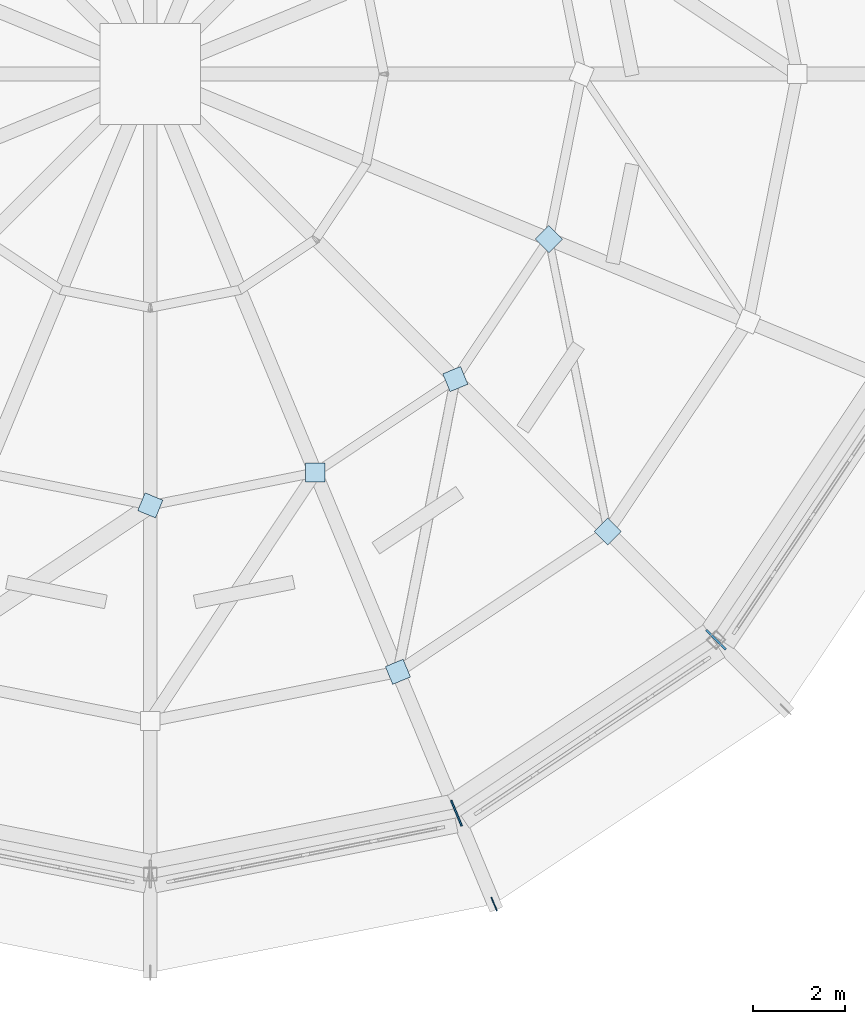
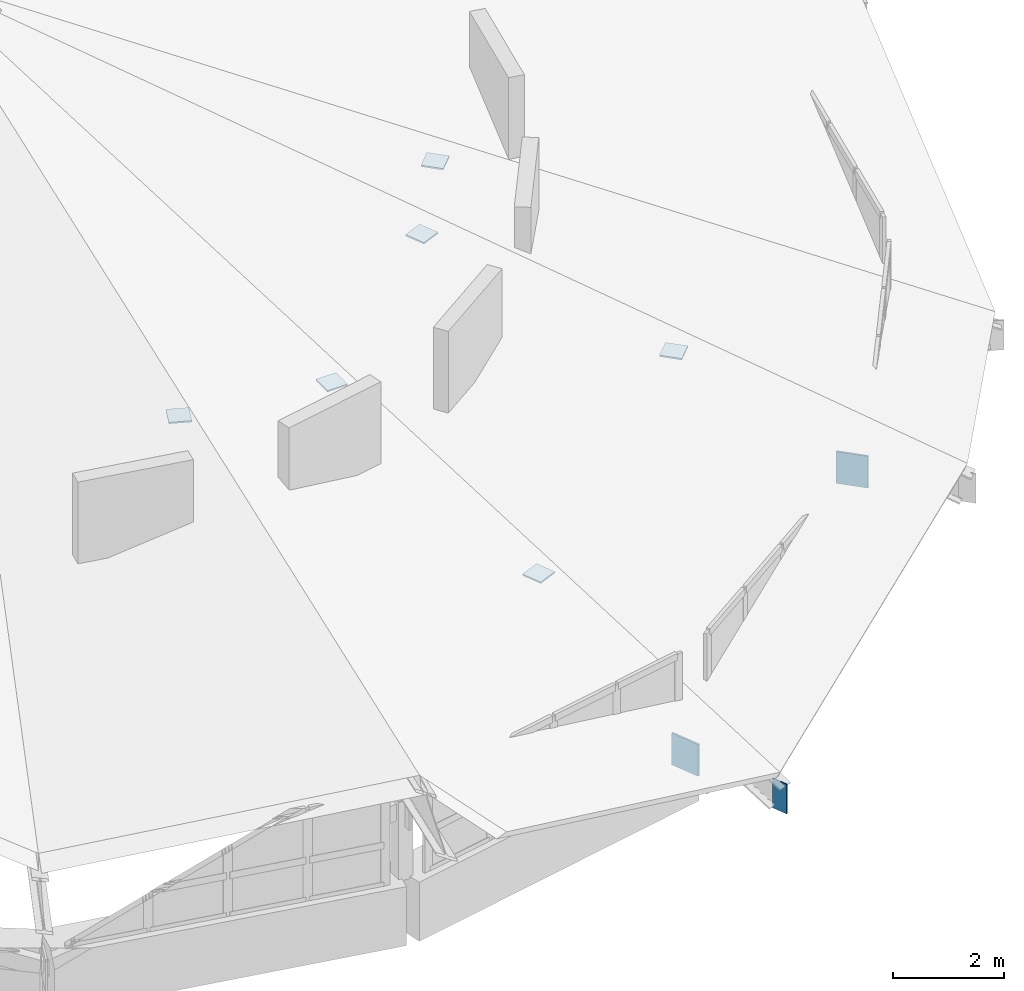
# One storey, part 13 of 18: 9 plates.
"""IFC4 building model written with IfcOpenShell, lengths in metres."""

from ifc_helpers import new_model, si_unit, direction, frame, origin, origin_2d, place, context, subcontext, project, spatial, rectangle, extrude, material, layer, layer_set, type_object, element, save


model = new_model("IFC4")

# Units and contexts
model_context = context("Model", 3, precision=1e-05, world=origin(), true_north=direction((0.0, 1.0)))
body_context = subcontext(model_context, "Body", "Model", "MODEL_VIEW")
ifc_project = project(units=[si_unit("LENGTHUNIT", "METRE"), si_unit("AREAUNIT", "SQUARE_METRE"), si_unit("VOLUMEUNIT", "CUBIC_METRE"), si_unit("PLANEANGLEUNIT", "RADIAN"), si_unit("MASSUNIT", "GRAM", prefix="KILO")], contexts=[model_context])

# Site, building, storey
site_placement = place(None, origin())
site = spatial("IfcSite", under=ifc_project, at=site_placement, CompositionType="ELEMENT")
building_placement = place(site_placement, origin())
building = spatial("IfcBuilding", under=site, at=building_placement, Name="Soyqirgoq Riverine Aquarium", CompositionType="ELEMENT")
storey_placement = place(building_placement, frame((0.0, 0.0, 29.39990234375)))
storey = spatial("IfcBuildingStorey", under=building, at=storey_placement, Name="RF", CompositionType="ELEMENT", Elevation=29.39990234375)

# Plates
ifc_material_1 = material(Name="Structural steel S355", Category="steel")
ifc_layer_1 = layer(ifc_material_1, 0.031982421875)
ifc_layer_set_1 = layer_set([ifc_layer_1], Name="Structural steel S355")
plate_type_1 = type_object("IfcPlateType", Name="NodeGussetPlate_32_S355", PredefinedType="SHEET", material=ifc_layer_set_1)
for number, where, z_axis, x_axis, name in (
    (1, (56.0, 47.592041015625, 5.18798828125), (0.0, 0.0, 1.0), (-0.382683432365, -0.923879532511, 0.0), "V1 Radial Truss Brace End Gusset Plate 108"),
    (2, (59.600341796875, 48.30810546875, 4.22802734375), (0.0, 0.0, 1.0), (0.0, -1.0, 0.0), "V1 Radial Truss Brace End Gusset Plate 110"),
    (3, (61.400390625, 43.962158203125, 2.02001953125), (0.0, 0.0, 1.0), (0.382683432365, -0.923879532511, 0.0), "V1 Radial Truss Brace End Gusset Plate 111"),
    (4, (62.652587890625, 50.347412109375, 5.18798828125), (0.0, 0.0, 1.0), (0.382683432365, -0.923879532511, 0.0), "V1 Radial Truss Brace End Gusset Plate 112"),
    (5, (65.978759765625, 47.021240234375, 3.4599609375), (0.0, 0.0, 1.0), (0.707106781187, -0.707106781187, 0.0), "V1 Radial Truss Brace End Gusset Plate 113"),
    (6, (64.69189453125, 53.399658203125, 4.22802734375), (0.0, 0.0, 1.0), (0.707106781187, -0.707106781187, 0.0), "V1 Radial Truss Brace End Gusset Plate 114"),
):
    element("IfcPlate", number, at=place(storey_placement, frame(where, z_axis=z_axis, x_axis=x_axis)), inside=storey, type_object=plate_type_1, Name=name, PredefinedType="SHEET", context=body_context, shape_type="SweptSolid", body=[
        extrude(rectangle(XDim=0.419921875, YDim=0.419921875, at=origin_2d()), origin(), (0.0, 0.0, 1.0), 0.031982421875),
    ])
ifc_material_2 = material(Name="Structural steel S355", Category="steel")
ifc_layer_2 = layer(ifc_material_2, 0.0400390625)
ifc_layer_set_2 = layer_set([ifc_layer_2], Name="Structural steel S355")
plate_type_2 = type_object("IfcPlateType", Name="NodeGussetPlate_40_S355", PredefinedType="SHEET", material=ifc_layer_set_2)
for number, where, z_axis, x_axis, name in (
    (7, (62.677734375, 40.87841796875, -0.8701171875), (0.0, 0.0, 1.0), (0.382683432365, -0.923879532511, 0.0), "V1 Folded-Plate Ring Node Gusset 080"),
    (8, (68.339111328125, 44.660888671875, 1.1298828125), (0.0, 0.0, 1.0), (0.707106781187, -0.707106781187, 0.0), "V1 Folded-Plate Ring Node Gusset 082"),
):
    element("IfcPlate", number, at=place(storey_placement, frame(where, z_axis=z_axis, x_axis=x_axis)), inside=storey, type_object=plate_type_2, Name=name, PredefinedType="SHEET", context=body_context, shape_type="SweptSolid", body=[
        extrude(rectangle(XDim=0.60009765625, YDim=0.0400390625, at=origin_2d()), origin(), (0.0, 0.0, 1.0), 0.699951171875),
    ])
ifc_material_3 = material(Name="Structural steel S355", Category="steel")
ifc_layer_3 = layer(ifc_material_3, 0.02197265625)
ifc_layer_set_3 = layer_set([ifc_layer_3], Name="Structural steel S355")
plate_type_3 = type_object("IfcPlateType", Name="TubeCapPlate_22_S355", PredefinedType="USERDEFINED", material=ifc_layer_set_3)
plate_placement = place(storey_placement, frame((63.50048828125, 38.89208984375, -0.844970703125), z_axis=(0.0, 0.0, 1.0), x_axis=(0.382683432365, -0.923879532511, 0.0)))
element("IfcPlate", 9, at=plate_placement, inside=storey, type_object=plate_type_3, Name="V1 Folded-Plate Eave Rib Cap Plate 079", ObjectType="FLANGE_PLATE", PredefinedType="USERDEFINED", context=body_context, shape_type="SweptSolid", body=[
    extrude(rectangle(XDim=0.320068359375, YDim=0.02197265625, at=origin_2d()), origin(), (0.0, 0.0, 1.0), 0.64990234375),
])

save(model, "model.ifc")
